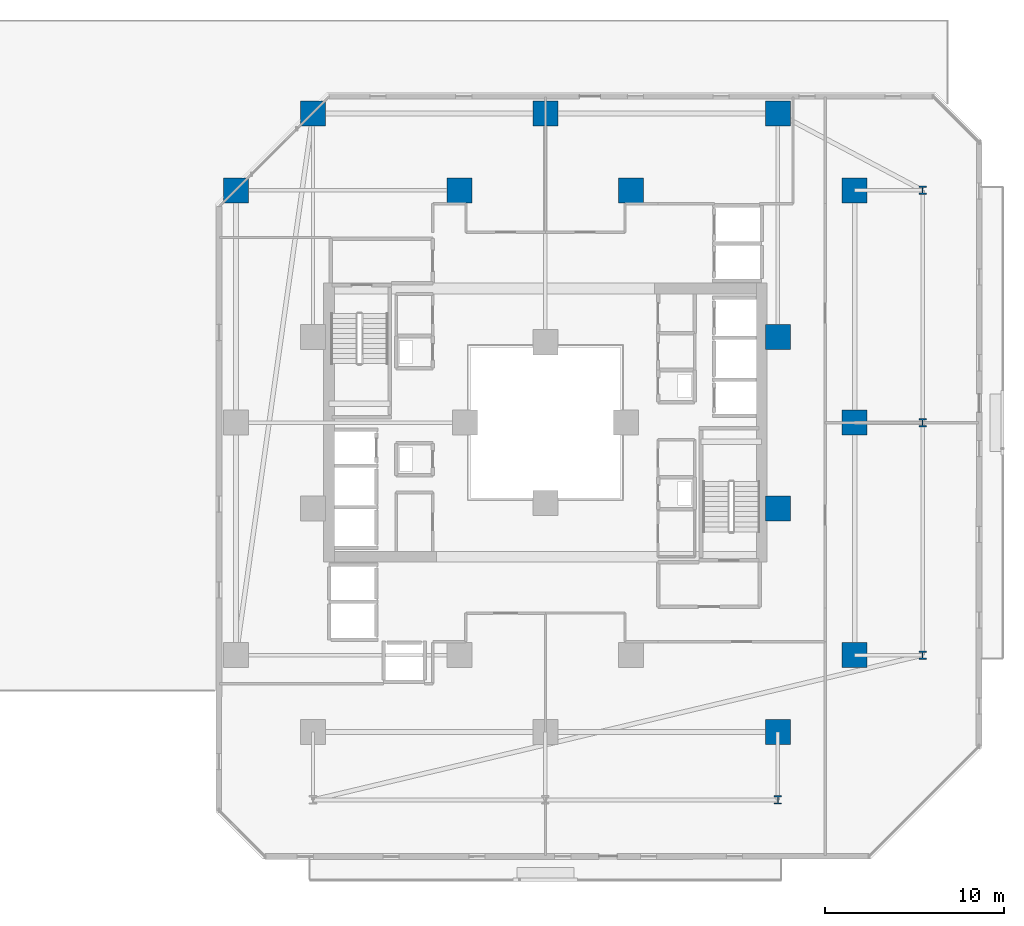
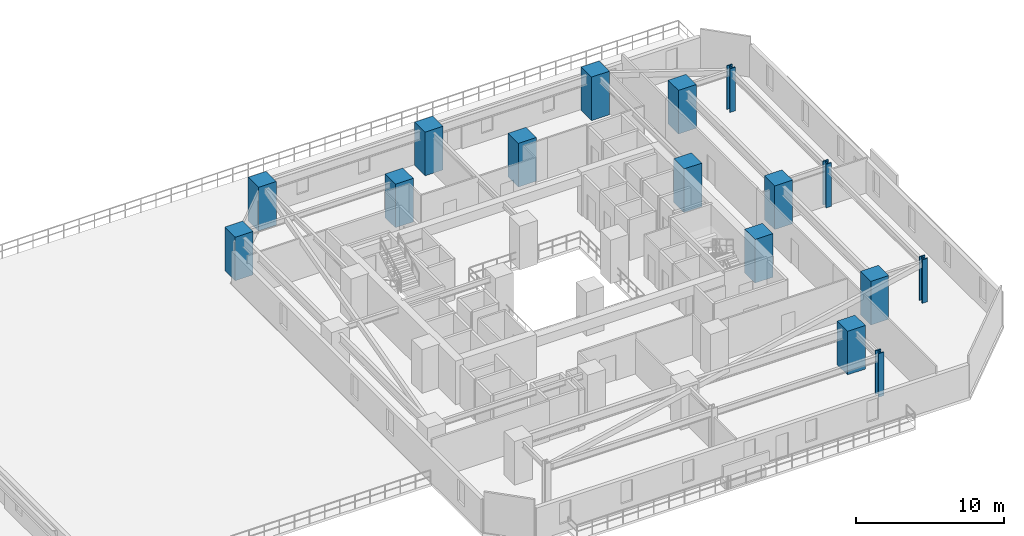
# One storey, part 2 of 34: 16 columns.
"""IFC4 building model written with IfcOpenShell, lengths in metres."""

from ifc_helpers import new_model, si_unit, direction, frame, origin, origin_2d, place, context, subcontext, project, spatial, rectangle, i_section, extrude, material, material_profile, profile_set, type_object, element, save


model = new_model("IFC4")

# Units and contexts
model_context = context("Model", 3, precision=1e-05, world=origin(), true_north=direction((0.0, 1.0)))
body_context = subcontext(model_context, "Body", "Model", "MODEL_VIEW")
ifc_project = project(units=[si_unit("LENGTHUNIT", "METRE"), si_unit("AREAUNIT", "SQUARE_METRE"), si_unit("VOLUMEUNIT", "CUBIC_METRE"), si_unit("PLANEANGLEUNIT", "RADIAN"), si_unit("MASSUNIT", "GRAM", prefix="KILO")], contexts=[model_context])

# Site, building, storey
site_placement = place(None, origin())
site = spatial("IfcSite", under=ifc_project, at=site_placement, CompositionType="ELEMENT")
building_placement = place(site_placement, origin())
building = spatial("IfcBuilding", under=site, at=building_placement, Name="Thornwick Lancets Civic Towers", CompositionType="ELEMENT")
storey_placement = place(building_placement, frame((0.0, 0.0, 27.89990234375)))
storey = spatial("IfcBuildingStorey", under=building, at=storey_placement, Name="L06", CompositionType="ELEMENT", Elevation=27.89990234375)

# Columns
ifc_material_1 = material(Name="Concrete C60/75", Category="concrete")
ifc_material_profile_1 = material_profile(ifc_material_1, rectangle(XDim=1.39990234375, YDim=1.39990234375, at=origin_2d()), Name="RC 1400x1400")
ifc_profile_set_1 = profile_set([ifc_material_profile_1], Name="Concrete C60/75")
column_type_1 = type_object("IfcColumnType", Name="COL_RC_1400", PredefinedType="COLUMN", material=ifc_profile_set_1)
for number, where, z_axis, x_axis, name in (
    (1, (105.800048828125, 14.0, 0.0), (0.0, 0.0, 1.0), (1.0, 0.0, 0.0), "L06 Spine Mega-Column B01"),
    (2, (105.800048828125, 27.0, 0.0), (0.0, 0.0, 1.0), (1.0, 0.0, 0.0), "L06 Spine Mega-Column B02"),
    (3, (105.800048828125, 40.0, 0.0), (0.0, 0.0, 1.0), (1.0, 0.0, 0.0), "L06 Spine Mega-Column B03"),
    (4, (101.5, 44.300048828125, 0.0), (0.0, 0.0, 1.0), (1.0, 0.0, 0.0), "L06 Spine Mega-Column B04"),
    (5, (88.5, 44.300048828125, 0.0), (0.0, 0.0, 1.0), (1.0, 0.0, 0.0), "L06 Spine Mega-Column B05"),
    (6, (75.5, 44.300048828125, 0.0), (0.0, 0.0, 1.0), (1.0, 0.0, 0.0), "L06 Spine Mega-Column B06"),
    (7, (71.199951171875, 40.0, 0.0), (0.0, 0.0, 1.0), (1.0, 0.0, 0.0), "L06 Spine Mega-Column B09"),
    (8, (101.5, 9.699951171875, 0.0), (0.0, 0.0, 1.0), (1.0, 0.0, 0.0), "L06 Spine Mega-Column B10"),
    (9, (93.300048828125, 40.0, 0.0), (0.0, 0.0, 1.0), (1.0, 0.0, 0.0), "L06 Spine Mega-Column B14"),
    (10, (83.699951171875, 40.0, 0.0), (0.0, 0.0, 1.0), (1.0, 0.0, 0.0), "L06 Spine Mega-Column B16"),
    (11, (101.5, 22.199951171875, 0.0), (0.0, 0.0, 1.0), (1.0, 0.0, 0.0), "L06 Spine Mega-Column B17"),
    (12, (101.5, 31.800048828125, 0.0), (0.0, 0.0, 1.0), (1.0, 0.0, 0.0), "L06 Spine Mega-Column B18"),
):
    element("IfcColumn", number, at=place(storey_placement, frame(where, z_axis=z_axis, x_axis=x_axis)), inside=storey, type_object=column_type_1, Name=name, PredefinedType="COLUMN", context=body_context, shape_type="SweptSolid", body=[
        extrude(rectangle(XDim=1.39990234375, YDim=1.39990234375, at=origin_2d()), origin(), (0.0, 0.0, 1.0), 3.60009765625),
    ])
ifc_material_2 = material(Name="Steel S460M", Category="steel")
ifc_material_profile_2 = material_profile(ifc_material_2, i_section(OverallWidth=0.424072265625, OverallDepth=0.474609375, WebThickness=0.047607421875, FlangeThickness=0.076904296875, FilletRadius=0.01513671875, at=origin_2d()), Name="UKC 356x406x634")
ifc_profile_set_2 = profile_set([ifc_material_profile_2], Name="Steel S460M")
column_type_2 = type_object("IfcColumnType", Name="COL_UKC_634", PredefinedType="COLUMN", material=ifc_profile_set_2)
for number, where, z_axis, x_axis, name in (
    (13, (109.60009765625, 14.0, 0.0), (0.0, 0.0, 1.0), (1.0, 0.0, 0.0), "L06 Block Perimeter Column B01"),
    (14, (109.60009765625, 27.0, 0.0), (0.0, 0.0, 1.0), (1.0, 0.0, 0.0), "L06 Block Perimeter Column B02"),
    (15, (109.60009765625, 40.0, 0.0), (0.0, 0.0, 1.0), (1.0, 0.0, 0.0), "L06 Block Perimeter Column B03"),
    (16, (101.5, 5.89990234375, 0.0), (0.0, 0.0, 1.0), (1.0, 0.0, 0.0), "L06 Block Perimeter Column B10"),
):
    element("IfcColumn", number, at=place(storey_placement, frame(where, z_axis=z_axis, x_axis=x_axis)), inside=storey, type_object=column_type_2, Name=name, PredefinedType="COLUMN", context=body_context, shape_type="SweptSolid", body=[
        extrude(i_section(OverallWidth=0.424072265625, OverallDepth=0.474609375, WebThickness=0.047607421875, FlangeThickness=0.076904296875, FilletRadius=0.01513671875, at=origin_2d()), origin(), (0.0, 0.0, 1.0), 3.60009765625),
    ])

save(model, "model.ifc")
